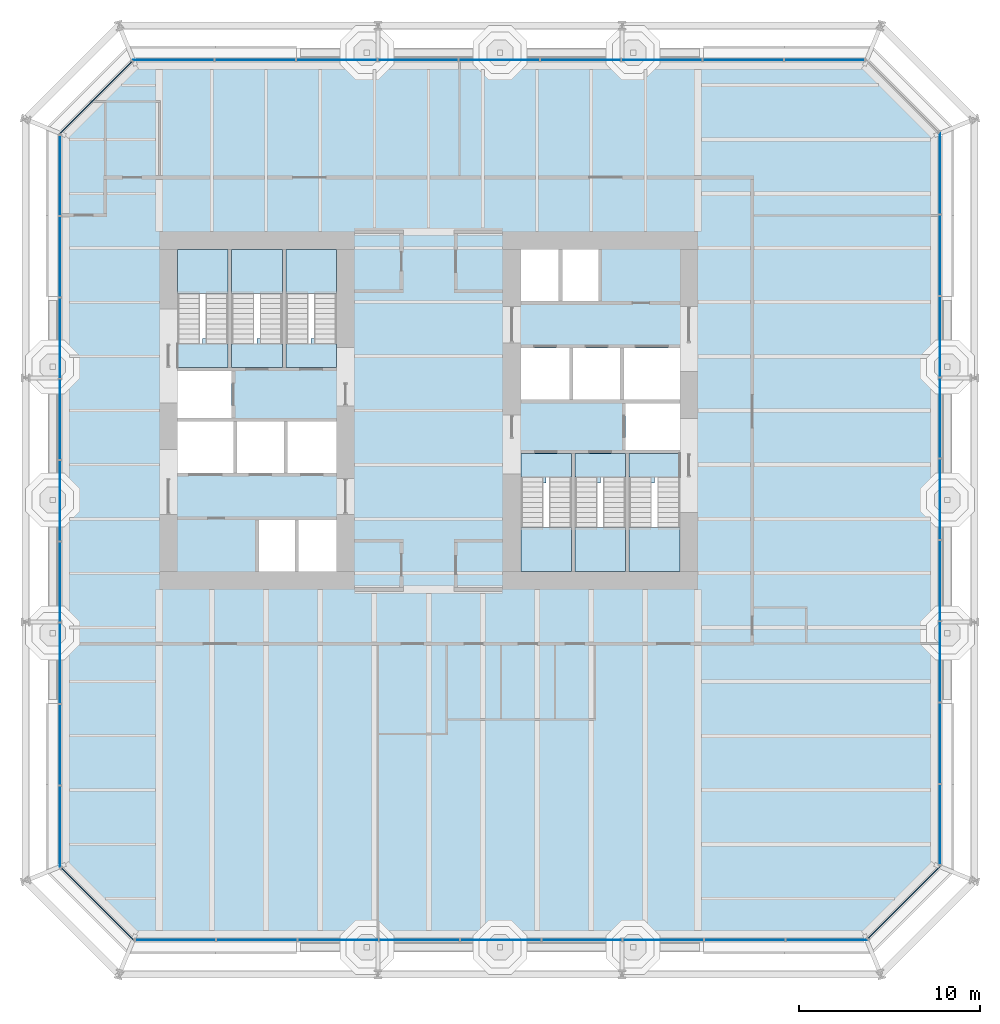
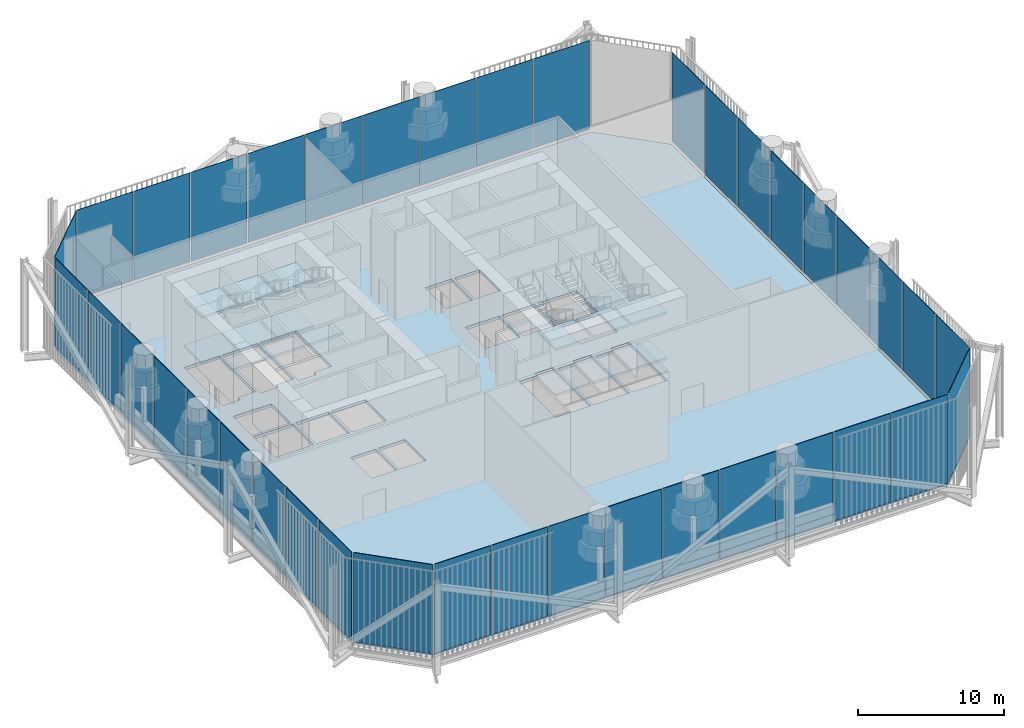
# One storey, part 11 of 18: 39 plates, 19 slabs, 13 elements without a shape of their own.
"""IFC4 building model written with IfcOpenShell, lengths in metres."""

from ifc_helpers import new_model, si_unit, direction, frame, origin, place, context, subcontext, project, spatial, polyline, outline, extrude, material, layer, layer_set, type_object, element, aggregate, save


model = new_model("IFC4")

# Units and contexts
model_context = context("Model", 3, precision=1e-05, world=origin(), true_north=direction((0.0, 1.0)))
body_context = subcontext(model_context, "Body", "Model", "MODEL_VIEW")
ifc_project = project(units=[si_unit("LENGTHUNIT", "METRE"), si_unit("AREAUNIT", "SQUARE_METRE"), si_unit("VOLUMEUNIT", "CUBIC_METRE"), si_unit("PLANEANGLEUNIT", "RADIAN"), si_unit("MASSUNIT", "GRAM", prefix="KILO")], contexts=[model_context])

# Site, building, storey
site_placement = place(None, origin())
site = spatial("IfcSite", under=ifc_project, at=site_placement, CompositionType="ELEMENT")
building_placement = place(site_placement, origin())
building = spatial("IfcBuilding", under=site, at=building_placement, Name="Millrace Tower", CompositionType="ELEMENT")
storey_placement = place(building_placement, frame((0.0, 0.0, 112.800048828125)))
storey = spatial("IfcBuildingStorey", under=building, at=storey_placement, Name="L25", CompositionType="ELEMENT", Elevation=112.800048828125)

# Curtain wall, plate
ifc_material_1 = material(Name="Aluminium and glass", Category="aluminium")
ifc_layer_1 = layer(ifc_material_1, 0.199951171875)
ifc_layer_set_1 = layer_set([ifc_layer_1], Name="Aluminium and glass")
curtain_wall_type = type_object("IfcCurtainWallType", Name="CW-4 sky garden winter glazing", PredefinedType="NOTDEFINED", material=ifc_layer_set_1)
placement_1 = place(storey_placement, origin())
curtain_wall_1 = element("IfcCurtainWall", 1, at=placement_1, inside=storey, type_object=curtain_wall_type, Name="Curtain wall B-F01 L25", PredefinedType="NOTDEFINED")
ifc_material_2 = material(Name="Glass", Category="glass")
ifc_layer_2 = layer(ifc_material_2, 0.0439453125)
ifc_layer_set_2 = layer_set([ifc_layer_2], Name="Glass")
plate_type = type_object("IfcPlateType", Name="CW-4 sky garden winter glazing triple-glazed double-height panel", PredefinedType="CURTAIN_PANEL", material=ifc_layer_set_2)
placement_2 = place(storey_placement, frame((0.0, 0.0, 0.179931640625)))
plate_1 = element("IfcPlate", 2, at=placement_2, type_object=plate_type, Name="CW4 panel B-F01.1", PredefinedType="CURTAIN_PANEL", context=body_context, shape_type="SweptSolid", body=[
    extrude(outline(polyline([(-20.32958984375, -25.3427734375), (-16.3505859375, -29.322021484375), (-16.332275390625, -29.278076171875), (-20.298583984375, -25.311767578125), (-20.32958984375, -25.3427734375)])), origin(), (0.0, 0.0, 1.0), 7.419921875),
])
aggregate(curtain_wall_1, [plate_1])

# Curtain wall, plates
curtain_wall_2 = element("IfcCurtainWall", 3, at=placement_1, inside=storey, type_object=curtain_wall_type, Name="Curtain wall B-F02 L25", PredefinedType="NOTDEFINED")
plate_2 = element("IfcPlate", 4, at=placement_2, type_object=plate_type, Name="CW4 panel B-F02.1", PredefinedType="CURTAIN_PANEL", context=body_context, shape_type="SweptSolid", body=[
    extrude(outline(polyline([(-16.219970703125, -29.322021484375), (-11.800048828125, -29.322021484375), (-11.800048828125, -29.278076171875), (-16.219970703125, -29.278076171875), (-16.219970703125, -29.322021484375)])), origin(), (0.0, 0.0, 1.0), 7.419921875),
])
plate_3 = element("IfcPlate", 5, at=placement_2, type_object=plate_type, Name="CW4 panel B-F02.2", PredefinedType="CURTAIN_PANEL", context=body_context, shape_type="SweptSolid", body=[
    extrude(outline(polyline([(-11.719970703125, -29.322021484375), (-7.300048828125, -29.322021484375), (-7.300048828125, -29.278076171875), (-11.719970703125, -29.278076171875), (-11.719970703125, -29.322021484375)])), origin(), (0.0, 0.0, 1.0), 7.419921875),
])
plate_4 = element("IfcPlate", 6, at=placement_2, type_object=plate_type, Name="CW4 panel B-F02.3", PredefinedType="CURTAIN_PANEL", context=body_context, shape_type="SweptSolid", body=[
    extrude(outline(polyline([(-7.219970703125, -29.322021484375), (-2.800048828125, -29.322021484375), (-2.800048828125, -29.278076171875), (-7.219970703125, -29.278076171875), (-7.219970703125, -29.322021484375)])), origin(), (0.0, 0.0, 1.0), 7.419921875),
])
plate_5 = element("IfcPlate", 7, at=placement_2, type_object=plate_type, Name="CW4 panel B-F02.4", PredefinedType="CURTAIN_PANEL", context=body_context, shape_type="SweptSolid", body=[
    extrude(outline(polyline([(-2.719970703125, -29.322021484375), (1.699951171875, -29.322021484375), (1.699951171875, -29.278076171875), (-2.719970703125, -29.278076171875), (-2.719970703125, -29.322021484375)])), origin(), (0.0, 0.0, 1.0), 7.419921875),
])
plate_6 = element("IfcPlate", 8, at=placement_2, type_object=plate_type, Name="CW4 panel B-F02.5", PredefinedType="CURTAIN_PANEL", context=body_context, shape_type="SweptSolid", body=[
    extrude(outline(polyline([(1.780029296875, -29.322021484375), (6.199951171875, -29.322021484375), (6.199951171875, -29.278076171875), (1.780029296875, -29.278076171875), (1.780029296875, -29.322021484375)])), origin(), (0.0, 0.0, 1.0), 7.419921875),
])
plate_7 = element("IfcPlate", 9, at=placement_2, type_object=plate_type, Name="CW4 panel B-F02.6", PredefinedType="CURTAIN_PANEL", context=body_context, shape_type="SweptSolid", body=[
    extrude(outline(polyline([(6.280029296875, -29.322021484375), (10.699951171875, -29.322021484375), (10.699951171875, -29.278076171875), (6.280029296875, -29.278076171875), (6.280029296875, -29.322021484375)])), origin(), (0.0, 0.0, 1.0), 7.419921875),
])
plate_8 = element("IfcPlate", 10, at=placement_2, type_object=plate_type, Name="CW4 panel B-F02.7", PredefinedType="CURTAIN_PANEL", context=body_context, shape_type="SweptSolid", body=[
    extrude(outline(polyline([(10.780029296875, -29.322021484375), (15.199951171875, -29.322021484375), (15.199951171875, -29.278076171875), (10.780029296875, -29.278076171875), (10.780029296875, -29.322021484375)])), origin(), (0.0, 0.0, 1.0), 7.419921875),
])
plate_9 = element("IfcPlate", 11, at=placement_2, type_object=plate_type, Name="CW4 panel B-F02.8", PredefinedType="CURTAIN_PANEL", context=body_context, shape_type="SweptSolid", body=[
    extrude(outline(polyline([(15.280029296875, -29.322021484375), (19.699951171875, -29.322021484375), (19.699951171875, -29.278076171875), (15.280029296875, -29.278076171875), (15.280029296875, -29.322021484375)])), origin(), (0.0, 0.0, 1.0), 7.419921875),
])
plate_10 = element("IfcPlate", 12, at=placement_2, type_object=plate_type, Name="CW4 panel B-F02.9", PredefinedType="CURTAIN_PANEL", context=body_context, shape_type="SweptSolid", body=[
    extrude(outline(polyline([(19.780029296875, -29.322021484375), (24.25048828125, -29.322021484375), (24.232421875, -29.278076171875), (19.780029296875, -29.278076171875), (19.780029296875, -29.322021484375)])), origin(), (0.0, 0.0, 1.0), 7.419921875),
])
aggregate(curtain_wall_2, [plate_2, plate_3, plate_4, plate_5, plate_6, plate_7, plate_8, plate_9, plate_10])

# Curtain wall, plate
curtain_wall_3 = element("IfcCurtainWall", 13, at=placement_1, inside=storey, type_object=curtain_wall_type, Name="Curtain wall B-F03 L25", PredefinedType="NOTDEFINED")
plate_11 = element("IfcPlate", 14, at=placement_2, type_object=plate_type, Name="CW4 panel B-F03.1", PredefinedType="CURTAIN_PANEL", context=body_context, shape_type="SweptSolid", body=[
    extrude(outline(polyline([(24.3427734375, -29.229736328125), (28.322021484375, -25.25048828125), (28.278076171875, -25.232421875), (24.311767578125, -29.198486328125), (24.3427734375, -29.229736328125)])), origin(), (0.0, 0.0, 1.0), 7.419921875),
])
aggregate(curtain_wall_3, [plate_11])

# Curtain wall, plates
curtain_wall_4 = element("IfcCurtainWall", 15, at=placement_1, inside=storey, type_object=curtain_wall_type, Name="Curtain wall B-F04 L25", PredefinedType="NOTDEFINED")
plate_12 = element("IfcPlate", 16, at=placement_2, type_object=plate_type, Name="CW4 panel B-F04.1", PredefinedType="CURTAIN_PANEL", context=body_context, shape_type="SweptSolid", body=[
    extrude(outline(polyline([(28.322021484375, -25.1201171875), (28.322021484375, -20.699951171875), (28.278076171875, -20.699951171875), (28.278076171875, -25.1201171875), (28.322021484375, -25.1201171875)])), origin(), (0.0, 0.0, 1.0), 7.419921875),
])
plate_13 = element("IfcPlate", 17, at=placement_2, type_object=plate_type, Name="CW4 panel B-F04.2", PredefinedType="CURTAIN_PANEL", context=body_context, shape_type="SweptSolid", body=[
    extrude(outline(polyline([(28.322021484375, -20.6201171875), (28.322021484375, -16.199951171875), (28.278076171875, -16.199951171875), (28.278076171875, -20.6201171875), (28.322021484375, -20.6201171875)])), origin(), (0.0, 0.0, 1.0), 7.419921875),
])
plate_14 = element("IfcPlate", 18, at=placement_2, type_object=plate_type, Name="CW4 panel B-F04.3", PredefinedType="CURTAIN_PANEL", context=body_context, shape_type="SweptSolid", body=[
    extrude(outline(polyline([(28.322021484375, -16.1201171875), (28.322021484375, -11.699951171875), (28.278076171875, -11.699951171875), (28.278076171875, -16.1201171875), (28.322021484375, -16.1201171875)])), origin(), (0.0, 0.0, 1.0), 7.419921875),
])
plate_15 = element("IfcPlate", 19, at=placement_2, type_object=plate_type, Name="CW4 panel B-F04.4", PredefinedType="CURTAIN_PANEL", context=body_context, shape_type="SweptSolid", body=[
    extrude(outline(polyline([(28.322021484375, -11.6201171875), (28.322021484375, -7.199951171875), (28.278076171875, -7.199951171875), (28.278076171875, -11.6201171875), (28.322021484375, -11.6201171875)])), origin(), (0.0, 0.0, 1.0), 7.419921875),
])
plate_16 = element("IfcPlate", 20, at=placement_2, type_object=plate_type, Name="CW4 panel B-F04.5", PredefinedType="CURTAIN_PANEL", context=body_context, shape_type="SweptSolid", body=[
    extrude(outline(polyline([(28.322021484375, -7.1201171875), (28.322021484375, -2.699951171875), (28.278076171875, -2.699951171875), (28.278076171875, -7.1201171875), (28.322021484375, -7.1201171875)])), origin(), (0.0, 0.0, 1.0), 7.419921875),
])
plate_17 = element("IfcPlate", 21, at=placement_2, type_object=plate_type, Name="CW4 panel B-F04.6", PredefinedType="CURTAIN_PANEL", context=body_context, shape_type="SweptSolid", body=[
    extrude(outline(polyline([(28.322021484375, -2.6201171875), (28.322021484375, 1.800048828125), (28.278076171875, 1.800048828125), (28.278076171875, -2.6201171875), (28.322021484375, -2.6201171875)])), origin(), (0.0, 0.0, 1.0), 7.419921875),
])
plate_18 = element("IfcPlate", 22, at=placement_2, type_object=plate_type, Name="CW4 panel B-F04.7", PredefinedType="CURTAIN_PANEL", context=body_context, shape_type="SweptSolid", body=[
    extrude(outline(polyline([(28.322021484375, 1.8798828125), (28.322021484375, 6.300048828125), (28.278076171875, 6.300048828125), (28.278076171875, 1.8798828125), (28.322021484375, 1.8798828125)])), origin(), (0.0, 0.0, 1.0), 7.419921875),
])
plate_19 = element("IfcPlate", 23, at=placement_2, type_object=plate_type, Name="CW4 panel B-F04.8", PredefinedType="CURTAIN_PANEL", context=body_context, shape_type="SweptSolid", body=[
    extrude(outline(polyline([(28.322021484375, 6.3798828125), (28.322021484375, 10.800048828125), (28.278076171875, 10.800048828125), (28.278076171875, 6.3798828125), (28.322021484375, 6.3798828125)])), origin(), (0.0, 0.0, 1.0), 7.419921875),
])
plate_20 = element("IfcPlate", 24, at=placement_2, type_object=plate_type, Name="CW4 panel B-F04.9", PredefinedType="CURTAIN_PANEL", context=body_context, shape_type="SweptSolid", body=[
    extrude(outline(polyline([(28.322021484375, 10.8798828125), (28.322021484375, 15.3505859375), (28.278076171875, 15.332275390625), (28.278076171875, 10.8798828125), (28.322021484375, 10.8798828125)])), origin(), (0.0, 0.0, 1.0), 7.419921875),
])
aggregate(curtain_wall_4, [plate_12, plate_13, plate_14, plate_15, plate_16, plate_17, plate_18, plate_19, plate_20])

curtain_wall_5 = element("IfcCurtainWall", 25, at=placement_1, inside=storey, type_object=curtain_wall_type, Name="Curtain wall B-F06 L25", PredefinedType="NOTDEFINED")
plate_21 = element("IfcPlate", 26, at=placement_2, type_object=plate_type, Name="CW4 panel B-F06.1", PredefinedType="CURTAIN_PANEL", context=body_context, shape_type="SweptSolid", body=[
    extrude(outline(polyline([(24.1201171875, 19.422119140625), (19.699951171875, 19.422119140625), (19.699951171875, 19.3779296875), (24.1201171875, 19.3779296875), (24.1201171875, 19.422119140625)])), origin(), (0.0, 0.0, 1.0), 7.419921875),
])
plate_22 = element("IfcPlate", 27, at=placement_2, type_object=plate_type, Name="CW4 panel B-F06.2", PredefinedType="CURTAIN_PANEL", context=body_context, shape_type="SweptSolid", body=[
    extrude(outline(polyline([(19.6201171875, 19.422119140625), (15.199951171875, 19.422119140625), (15.199951171875, 19.3779296875), (19.6201171875, 19.3779296875), (19.6201171875, 19.422119140625)])), origin(), (0.0, 0.0, 1.0), 7.419921875),
])
plate_23 = element("IfcPlate", 28, at=placement_2, type_object=plate_type, Name="CW4 panel B-F06.3", PredefinedType="CURTAIN_PANEL", context=body_context, shape_type="SweptSolid", body=[
    extrude(outline(polyline([(15.1201171875, 19.422119140625), (10.699951171875, 19.422119140625), (10.699951171875, 19.3779296875), (15.1201171875, 19.3779296875), (15.1201171875, 19.422119140625)])), origin(), (0.0, 0.0, 1.0), 7.419921875),
])
plate_24 = element("IfcPlate", 29, at=placement_2, type_object=plate_type, Name="CW4 panel B-F06.4", PredefinedType="CURTAIN_PANEL", context=body_context, shape_type="SweptSolid", body=[
    extrude(outline(polyline([(10.6201171875, 19.422119140625), (6.199951171875, 19.422119140625), (6.199951171875, 19.3779296875), (10.6201171875, 19.3779296875), (10.6201171875, 19.422119140625)])), origin(), (0.0, 0.0, 1.0), 7.419921875),
])
plate_25 = element("IfcPlate", 30, at=placement_2, type_object=plate_type, Name="CW4 panel B-F06.5", PredefinedType="CURTAIN_PANEL", context=body_context, shape_type="SweptSolid", body=[
    extrude(outline(polyline([(6.1201171875, 19.422119140625), (1.699951171875, 19.422119140625), (1.699951171875, 19.3779296875), (6.1201171875, 19.3779296875), (6.1201171875, 19.422119140625)])), origin(), (0.0, 0.0, 1.0), 7.419921875),
])
plate_26 = element("IfcPlate", 31, at=placement_2, type_object=plate_type, Name="CW4 panel B-F06.6", PredefinedType="CURTAIN_PANEL", context=body_context, shape_type="SweptSolid", body=[
    extrude(outline(polyline([(1.6201171875, 19.422119140625), (-2.800048828125, 19.422119140625), (-2.800048828125, 19.3779296875), (1.6201171875, 19.3779296875), (1.6201171875, 19.422119140625)])), origin(), (0.0, 0.0, 1.0), 7.419921875),
])
plate_27 = element("IfcPlate", 32, at=placement_2, type_object=plate_type, Name="CW4 panel B-F06.7", PredefinedType="CURTAIN_PANEL", context=body_context, shape_type="SweptSolid", body=[
    extrude(outline(polyline([(-2.8798828125, 19.422119140625), (-7.300048828125, 19.422119140625), (-7.300048828125, 19.3779296875), (-2.8798828125, 19.3779296875), (-2.8798828125, 19.422119140625)])), origin(), (0.0, 0.0, 1.0), 7.419921875),
])
plate_28 = element("IfcPlate", 33, at=placement_2, type_object=plate_type, Name="CW4 panel B-F06.8", PredefinedType="CURTAIN_PANEL", context=body_context, shape_type="SweptSolid", body=[
    extrude(outline(polyline([(-7.3798828125, 19.422119140625), (-11.800048828125, 19.422119140625), (-11.800048828125, 19.3779296875), (-7.3798828125, 19.3779296875), (-7.3798828125, 19.422119140625)])), origin(), (0.0, 0.0, 1.0), 7.419921875),
])
plate_29 = element("IfcPlate", 34, at=placement_2, type_object=plate_type, Name="CW4 panel B-F06.9", PredefinedType="CURTAIN_PANEL", context=body_context, shape_type="SweptSolid", body=[
    extrude(outline(polyline([(-11.8798828125, 19.422119140625), (-16.3505859375, 19.422119140625), (-16.332275390625, 19.3779296875), (-11.8798828125, 19.3779296875), (-11.8798828125, 19.422119140625)])), origin(), (0.0, 0.0, 1.0), 7.419921875),
])
aggregate(curtain_wall_5, [plate_21, plate_22, plate_23, plate_24, plate_25, plate_26, plate_27, plate_28, plate_29])

# Curtain wall, plate
curtain_wall_6 = element("IfcCurtainWall", 35, at=placement_1, inside=storey, type_object=curtain_wall_type, Name="Curtain wall B-F07 L25", PredefinedType="NOTDEFINED")
plate_30 = element("IfcPlate", 36, at=placement_2, type_object=plate_type, Name="CW4 panel B-F07.1", PredefinedType="CURTAIN_PANEL", context=body_context, shape_type="SweptSolid", body=[
    extrude(outline(polyline([(-16.44287109375, 19.32958984375), (-20.422119140625, 15.3505859375), (-20.3779296875, 15.332275390625), (-16.41162109375, 19.298583984375), (-16.44287109375, 19.32958984375)])), origin(), (0.0, 0.0, 1.0), 7.419921875),
])
aggregate(curtain_wall_6, [plate_30])

# Curtain wall, plates
curtain_wall_7 = element("IfcCurtainWall", 37, at=placement_1, inside=storey, type_object=curtain_wall_type, Name="Curtain wall B-F08 L25", PredefinedType="NOTDEFINED")
plate_31 = element("IfcPlate", 38, at=placement_2, type_object=plate_type, Name="CW4 panel B-F08.1", PredefinedType="CURTAIN_PANEL", context=body_context, shape_type="SweptSolid", body=[
    extrude(outline(polyline([(-20.422119140625, 15.219970703125), (-20.422119140625, 10.800048828125), (-20.3779296875, 10.800048828125), (-20.3779296875, 15.219970703125), (-20.422119140625, 15.219970703125)])), origin(), (0.0, 0.0, 1.0), 7.419921875),
])
plate_32 = element("IfcPlate", 39, at=placement_2, type_object=plate_type, Name="CW4 panel B-F08.2", PredefinedType="CURTAIN_PANEL", context=body_context, shape_type="SweptSolid", body=[
    extrude(outline(polyline([(-20.422119140625, 10.719970703125), (-20.422119140625, 6.300048828125), (-20.3779296875, 6.300048828125), (-20.3779296875, 10.719970703125), (-20.422119140625, 10.719970703125)])), origin(), (0.0, 0.0, 1.0), 7.419921875),
])
plate_33 = element("IfcPlate", 40, at=placement_2, type_object=plate_type, Name="CW4 panel B-F08.3", PredefinedType="CURTAIN_PANEL", context=body_context, shape_type="SweptSolid", body=[
    extrude(outline(polyline([(-20.422119140625, 6.219970703125), (-20.422119140625, 1.800048828125), (-20.3779296875, 1.800048828125), (-20.3779296875, 6.219970703125), (-20.422119140625, 6.219970703125)])), origin(), (0.0, 0.0, 1.0), 7.419921875),
])
plate_34 = element("IfcPlate", 41, at=placement_2, type_object=plate_type, Name="CW4 panel B-F08.4", PredefinedType="CURTAIN_PANEL", context=body_context, shape_type="SweptSolid", body=[
    extrude(outline(polyline([(-20.422119140625, 1.719970703125), (-20.422119140625, -2.699951171875), (-20.3779296875, -2.699951171875), (-20.3779296875, 1.719970703125), (-20.422119140625, 1.719970703125)])), origin(), (0.0, 0.0, 1.0), 7.419921875),
])
plate_35 = element("IfcPlate", 42, at=placement_2, type_object=plate_type, Name="CW4 panel B-F08.5", PredefinedType="CURTAIN_PANEL", context=body_context, shape_type="SweptSolid", body=[
    extrude(outline(polyline([(-20.422119140625, -2.780029296875), (-20.422119140625, -7.199951171875), (-20.3779296875, -7.199951171875), (-20.3779296875, -2.780029296875), (-20.422119140625, -2.780029296875)])), origin(), (0.0, 0.0, 1.0), 7.419921875),
])
plate_36 = element("IfcPlate", 43, at=placement_2, type_object=plate_type, Name="CW4 panel B-F08.6", PredefinedType="CURTAIN_PANEL", context=body_context, shape_type="SweptSolid", body=[
    extrude(outline(polyline([(-20.422119140625, -7.280029296875), (-20.422119140625, -11.699951171875), (-20.3779296875, -11.699951171875), (-20.3779296875, -7.280029296875), (-20.422119140625, -7.280029296875)])), origin(), (0.0, 0.0, 1.0), 7.419921875),
])
plate_37 = element("IfcPlate", 44, at=placement_2, type_object=plate_type, Name="CW4 panel B-F08.7", PredefinedType="CURTAIN_PANEL", context=body_context, shape_type="SweptSolid", body=[
    extrude(outline(polyline([(-20.422119140625, -11.780029296875), (-20.422119140625, -16.199951171875), (-20.3779296875, -16.199951171875), (-20.3779296875, -11.780029296875), (-20.422119140625, -11.780029296875)])), origin(), (0.0, 0.0, 1.0), 7.419921875),
])
plate_38 = element("IfcPlate", 45, at=placement_2, type_object=plate_type, Name="CW4 panel B-F08.8", PredefinedType="CURTAIN_PANEL", context=body_context, shape_type="SweptSolid", body=[
    extrude(outline(polyline([(-20.422119140625, -16.280029296875), (-20.422119140625, -20.699951171875), (-20.3779296875, -20.699951171875), (-20.3779296875, -16.280029296875), (-20.422119140625, -16.280029296875)])), origin(), (0.0, 0.0, 1.0), 7.419921875),
])
plate_39 = element("IfcPlate", 46, at=placement_2, type_object=plate_type, Name="CW4 panel B-F08.9", PredefinedType="CURTAIN_PANEL", context=body_context, shape_type="SweptSolid", body=[
    extrude(outline(polyline([(-20.422119140625, -20.780029296875), (-20.422119140625, -25.25048828125), (-20.3779296875, -25.232421875), (-20.3779296875, -20.780029296875), (-20.422119140625, -20.780029296875)])), origin(), (0.0, 0.0, 1.0), 7.419921875),
])
aggregate(curtain_wall_7, [plate_31, plate_32, plate_33, plate_34, plate_35, plate_36, plate_37, plate_38, plate_39])

# Slab
ifc_material_3 = material(Name="Concrete C35 on steel deck", Category="concrete")
ifc_layer_3 = layer(ifc_material_3, 0.25)
ifc_layer_set_3 = layer_set([ifc_layer_3], Name="Concrete C35 on steel deck")
slab_type_1 = type_object("IfcSlabType", Name="Composite floor slab 250 mm", PredefinedType="FLOOR", material=ifc_layer_set_3)
slab_1_placement = place(storey_placement, frame((0.0, 0.0, -0.25)))
element("IfcSlab", 47, at=slab_1_placement, inside=storey, type_object=slab_type_1, Name="SL-B-L25-S1", PredefinedType="FLOOR", context=body_context, shape_type="SweptSolid", body=[
    extrude(outline(polyline([(-20.300048828125, -25.199951171875), (-16.300048828125, -29.199951171875), (24.199951171875, -29.199951171875), (28.199951171875, -25.199951171875), (28.199951171875, 15.300048828125), (24.199951171875, 19.300048828125), (-16.300048828125, 19.300048828125), (-20.300048828125, 15.300048828125), (-20.300048828125, -25.199951171875)]), holes=[polyline([(-9.39990234375, -8.89990234375), (-7.39990234375, -8.89990234375), (-7.39990234375, -6.050048828125), (-9.39990234375, -6.050048828125), (-9.39990234375, -8.89990234375)]), polyline([(-7.199951171875, -8.89990234375), (-5.10009765625, -8.89990234375), (-5.10009765625, -6.050048828125), (-7.199951171875, -6.050048828125), (-7.199951171875, -8.89990234375)]), polyline([(-13.89990234375, -3.449951171875), (-10.800048828125, -3.449951171875), (-10.800048828125, -0.60009765625), (-13.89990234375, -0.60009765625), (-13.89990234375, -3.449951171875)]), polyline([(-10.60009765625, -3.449951171875), (-8.0, -3.449951171875), (-8.0, -0.60009765625), (-10.60009765625, -0.60009765625), (-10.60009765625, -3.449951171875)]), polyline([(-7.800048828125, -3.449951171875), (-5.10009765625, -3.449951171875), (-5.10009765625, -0.60009765625), (-7.800048828125, -0.60009765625), (-7.800048828125, -3.449951171875)]), polyline([(-13.89990234375, -0.39990234375), (-10.89990234375, -0.39990234375), (-10.89990234375, 2.179931640625), (-13.89990234375, 2.179931640625), (-13.89990234375, -0.39990234375)]), polyline([(-12.5, 3.679931640625), (-12.5, 4.0), (-11.10009765625, 4.0), (-11.10009765625, 8.89990234375), (-12.5, 8.89990234375), (-13.89990234375, 8.89990234375), (-13.89990234375, 3.679931640625), (-12.5, 3.679931640625)]), polyline([(-9.5, 3.679931640625), (-9.5, 4.0), (-8.10009765625, 4.0), (-8.10009765625, 8.89990234375), (-9.5, 8.89990234375), (-10.89990234375, 8.89990234375), (-10.89990234375, 3.679931640625), (-9.5, 3.679931640625)]), polyline([(-6.5, 3.679931640625), (-6.5, 4.0), (-5.10009765625, 4.0), (-5.10009765625, 8.89990234375), (-6.5, 8.89990234375), (-7.89990234375, 8.89990234375), (-7.89990234375, 3.679931640625), (-6.5, 3.679931640625)]), polyline([(7.39990234375, 6.050048828125), (9.39990234375, 6.050048828125), (9.39990234375, 8.89990234375), (7.39990234375, 8.89990234375), (7.39990234375, 6.050048828125)]), polyline([(5.10009765625, 6.050048828125), (7.199951171875, 6.050048828125), (7.199951171875, 8.89990234375), (5.10009765625, 8.89990234375), (5.10009765625, 6.050048828125)]), polyline([(10.800048828125, 0.60009765625), (13.89990234375, 0.60009765625), (13.89990234375, 3.449951171875), (10.800048828125, 3.449951171875), (10.800048828125, 0.60009765625)]), polyline([(8.0, 0.60009765625), (10.60009765625, 0.60009765625), (10.60009765625, 3.449951171875), (8.0, 3.449951171875), (8.0, 0.60009765625)]), polyline([(5.10009765625, 0.60009765625), (7.800048828125, 0.60009765625), (7.800048828125, 3.449951171875), (5.10009765625, 3.449951171875), (5.10009765625, 0.60009765625)]), polyline([(10.89990234375, -2.179931640625), (13.89990234375, -2.179931640625), (13.89990234375, 0.39990234375), (10.89990234375, 0.39990234375), (10.89990234375, -2.179931640625)]), polyline([(11.10009765625, -8.89990234375), (12.5, -8.89990234375), (13.89990234375, -8.89990234375), (13.89990234375, -3.679931640625), (12.5, -3.679931640625), (12.5, -4.0), (11.10009765625, -4.0), (11.10009765625, -8.89990234375)]), polyline([(8.10009765625, -8.89990234375), (9.5, -8.89990234375), (10.89990234375, -8.89990234375), (10.89990234375, -3.679931640625), (9.5, -3.679931640625), (9.5, -4.0), (8.10009765625, -4.0), (8.10009765625, -8.89990234375)]), polyline([(5.10009765625, -8.89990234375), (6.5, -8.89990234375), (7.89990234375, -8.89990234375), (7.89990234375, -3.679931640625), (6.5, -3.679931640625), (6.5, -4.0), (5.10009765625, -4.0), (5.10009765625, -8.89990234375)])]), origin(), (0.0, 0.0, 1.0), 0.25),
])

# Stair, slabs
ifc_material_4 = material(Name="Concrete C35", Category="concrete")
stair_type = type_object("IfcStairType", Name="Exit stair", PredefinedType="HALF_TURN_STAIR", material=ifc_material_4)
stair_1 = element("IfcStair", 48, at=placement_1, inside=storey, type_object=stair_type, Name="Stair 1 W L25", PredefinedType="HALF_TURN_STAIR")
ifc_material_5 = material(Name="Concrete C40", Category="concrete")
ifc_layer_4 = layer(ifc_material_5, 0.199951171875)
ifc_layer_set_4 = layer_set([ifc_layer_4], Name="Concrete C40")
slab_type_2 = type_object("IfcSlabType", Name="Stair landing", PredefinedType="LANDING", material=ifc_layer_set_4)
placement_3 = place(storey_placement, frame((0.0, 0.0, 1.699951171875)))
slab_2 = element("IfcSlab", 49, at=placement_3, type_object=slab_type_2, Name="ST12 landing 1", PredefinedType="LANDING", context=body_context, shape_type="SweptSolid", body=[
    extrude(outline(polyline([(-13.89990234375, 6.47998046875), (-11.10009765625, 6.47998046875), (-11.10009765625, 8.89990234375), (-13.89990234375, 8.89990234375), (-13.89990234375, 6.47998046875)])), origin(), (0.0, 0.0, 1.0), 0.199951171875),
])
placement_4 = place(storey_placement, frame((0.0, 0.0, 3.599853515625)))
slab_3 = element("IfcSlab", 50, at=placement_4, type_object=slab_type_2, Name="ST12 landing 2", PredefinedType="LANDING", context=body_context, shape_type="SweptSolid", body=[
    extrude(outline(polyline([(-13.89990234375, 2.3798828125), (-11.10009765625, 2.3798828125), (-11.10009765625, 3.679931640625), (-13.89990234375, 3.679931640625), (-13.89990234375, 2.3798828125)])), origin(), (0.0, 0.0, 1.0), 0.2001953125),
])
placement_5 = place(storey_placement, frame((0.0, 0.0, 5.5)))
slab_4 = element("IfcSlab", 51, at=placement_5, type_object=slab_type_2, Name="ST12 landing 3", PredefinedType="LANDING", context=body_context, shape_type="SweptSolid", body=[
    extrude(outline(polyline([(-13.89990234375, 6.47998046875), (-11.10009765625, 6.47998046875), (-11.10009765625, 8.89990234375), (-13.89990234375, 8.89990234375), (-13.89990234375, 6.47998046875)])), origin(), (0.0, 0.0, 1.0), 0.199951171875),
])
aggregate(stair_1, [slab_2, slab_3, slab_4])

stair_2 = element("IfcStair", 52, at=placement_1, inside=storey, type_object=stair_type, Name="Stair 2 W L25", PredefinedType="HALF_TURN_STAIR")
slab_5 = element("IfcSlab", 53, at=placement_3, type_object=slab_type_2, Name="ST12 landing 1", PredefinedType="LANDING", context=body_context, shape_type="SweptSolid", body=[
    extrude(outline(polyline([(-10.89990234375, 6.47998046875), (-8.10009765625, 6.47998046875), (-8.10009765625, 8.89990234375), (-10.89990234375, 8.89990234375), (-10.89990234375, 6.47998046875)])), origin(), (0.0, 0.0, 1.0), 0.199951171875),
])
slab_6 = element("IfcSlab", 54, at=placement_4, type_object=slab_type_2, Name="ST12 landing 2", PredefinedType="LANDING", context=body_context, shape_type="SweptSolid", body=[
    extrude(outline(polyline([(-10.89990234375, 2.3798828125), (-8.10009765625, 2.3798828125), (-8.10009765625, 3.679931640625), (-10.89990234375, 3.679931640625), (-10.89990234375, 2.3798828125)])), origin(), (0.0, 0.0, 1.0), 0.2001953125),
])
slab_7 = element("IfcSlab", 55, at=placement_5, type_object=slab_type_2, Name="ST12 landing 3", PredefinedType="LANDING", context=body_context, shape_type="SweptSolid", body=[
    extrude(outline(polyline([(-10.89990234375, 6.47998046875), (-8.10009765625, 6.47998046875), (-8.10009765625, 8.89990234375), (-10.89990234375, 8.89990234375), (-10.89990234375, 6.47998046875)])), origin(), (0.0, 0.0, 1.0), 0.199951171875),
])
aggregate(stair_2, [slab_5, slab_6, slab_7])

stair_3 = element("IfcStair", 56, at=placement_1, inside=storey, type_object=stair_type, Name="Stair 3 W L25", PredefinedType="HALF_TURN_STAIR")
slab_8 = element("IfcSlab", 57, at=placement_3, type_object=slab_type_2, Name="ST12 landing 1", PredefinedType="LANDING", context=body_context, shape_type="SweptSolid", body=[
    extrude(outline(polyline([(-7.89990234375, 6.47998046875), (-5.10009765625, 6.47998046875), (-5.10009765625, 8.89990234375), (-7.89990234375, 8.89990234375), (-7.89990234375, 6.47998046875)])), origin(), (0.0, 0.0, 1.0), 0.199951171875),
])
slab_9 = element("IfcSlab", 58, at=placement_4, type_object=slab_type_2, Name="ST12 landing 2", PredefinedType="LANDING", context=body_context, shape_type="SweptSolid", body=[
    extrude(outline(polyline([(-7.89990234375, 2.3798828125), (-5.10009765625, 2.3798828125), (-5.10009765625, 3.679931640625), (-7.89990234375, 3.679931640625), (-7.89990234375, 2.3798828125)])), origin(), (0.0, 0.0, 1.0), 0.2001953125),
])
slab_10 = element("IfcSlab", 59, at=placement_5, type_object=slab_type_2, Name="ST12 landing 3", PredefinedType="LANDING", context=body_context, shape_type="SweptSolid", body=[
    extrude(outline(polyline([(-7.89990234375, 6.47998046875), (-5.10009765625, 6.47998046875), (-5.10009765625, 8.89990234375), (-7.89990234375, 8.89990234375), (-7.89990234375, 6.47998046875)])), origin(), (0.0, 0.0, 1.0), 0.199951171875),
])
aggregate(stair_3, [slab_8, slab_9, slab_10])

stair_4 = element("IfcStair", 60, at=placement_1, inside=storey, type_object=stair_type, Name="Stair 1 E L25", PredefinedType="HALF_TURN_STAIR")
slab_11 = element("IfcSlab", 61, at=placement_3, type_object=slab_type_2, Name="ST12 landing 1", PredefinedType="LANDING", context=body_context, shape_type="SweptSolid", body=[
    extrude(outline(polyline([(11.10009765625, -8.89990234375), (13.89990234375, -8.89990234375), (13.89990234375, -6.47998046875), (11.10009765625, -6.47998046875), (11.10009765625, -8.89990234375)])), origin(), (0.0, 0.0, 1.0), 0.199951171875),
])
slab_12 = element("IfcSlab", 62, at=placement_4, type_object=slab_type_2, Name="ST12 landing 2", PredefinedType="LANDING", context=body_context, shape_type="SweptSolid", body=[
    extrude(outline(polyline([(11.10009765625, -3.679931640625), (13.89990234375, -3.679931640625), (13.89990234375, -2.3798828125), (11.10009765625, -2.3798828125), (11.10009765625, -3.679931640625)])), origin(), (0.0, 0.0, 1.0), 0.2001953125),
])
slab_13 = element("IfcSlab", 63, at=placement_5, type_object=slab_type_2, Name="ST12 landing 3", PredefinedType="LANDING", context=body_context, shape_type="SweptSolid", body=[
    extrude(outline(polyline([(11.10009765625, -8.89990234375), (13.89990234375, -8.89990234375), (13.89990234375, -6.47998046875), (11.10009765625, -6.47998046875), (11.10009765625, -8.89990234375)])), origin(), (0.0, 0.0, 1.0), 0.199951171875),
])
aggregate(stair_4, [slab_11, slab_12, slab_13])

stair_5 = element("IfcStair", 64, at=placement_1, inside=storey, type_object=stair_type, Name="Stair 2 E L25", PredefinedType="HALF_TURN_STAIR")
slab_14 = element("IfcSlab", 65, at=placement_3, type_object=slab_type_2, Name="ST12 landing 1", PredefinedType="LANDING", context=body_context, shape_type="SweptSolid", body=[
    extrude(outline(polyline([(8.10009765625, -8.89990234375), (10.89990234375, -8.89990234375), (10.89990234375, -6.47998046875), (8.10009765625, -6.47998046875), (8.10009765625, -8.89990234375)])), origin(), (0.0, 0.0, 1.0), 0.199951171875),
])
slab_15 = element("IfcSlab", 66, at=placement_4, type_object=slab_type_2, Name="ST12 landing 2", PredefinedType="LANDING", context=body_context, shape_type="SweptSolid", body=[
    extrude(outline(polyline([(8.10009765625, -3.679931640625), (10.89990234375, -3.679931640625), (10.89990234375, -2.3798828125), (8.10009765625, -2.3798828125), (8.10009765625, -3.679931640625)])), origin(), (0.0, 0.0, 1.0), 0.2001953125),
])
slab_16 = element("IfcSlab", 67, at=placement_5, type_object=slab_type_2, Name="ST12 landing 3", PredefinedType="LANDING", context=body_context, shape_type="SweptSolid", body=[
    extrude(outline(polyline([(8.10009765625, -8.89990234375), (10.89990234375, -8.89990234375), (10.89990234375, -6.47998046875), (8.10009765625, -6.47998046875), (8.10009765625, -8.89990234375)])), origin(), (0.0, 0.0, 1.0), 0.199951171875),
])
aggregate(stair_5, [slab_14, slab_15, slab_16])

stair_6 = element("IfcStair", 68, at=placement_1, inside=storey, type_object=stair_type, Name="Stair 3 E L25", PredefinedType="HALF_TURN_STAIR")
slab_17 = element("IfcSlab", 69, at=placement_3, type_object=slab_type_2, Name="ST12 landing 1", PredefinedType="LANDING", context=body_context, shape_type="SweptSolid", body=[
    extrude(outline(polyline([(5.10009765625, -8.89990234375), (7.89990234375, -8.89990234375), (7.89990234375, -6.47998046875), (5.10009765625, -6.47998046875), (5.10009765625, -8.89990234375)])), origin(), (0.0, 0.0, 1.0), 0.199951171875),
])
slab_18 = element("IfcSlab", 70, at=placement_4, type_object=slab_type_2, Name="ST12 landing 2", PredefinedType="LANDING", context=body_context, shape_type="SweptSolid", body=[
    extrude(outline(polyline([(5.10009765625, -3.679931640625), (7.89990234375, -3.679931640625), (7.89990234375, -2.3798828125), (5.10009765625, -2.3798828125), (5.10009765625, -3.679931640625)])), origin(), (0.0, 0.0, 1.0), 0.2001953125),
])
slab_19 = element("IfcSlab", 71, at=placement_5, type_object=slab_type_2, Name="ST12 landing 3", PredefinedType="LANDING", context=body_context, shape_type="SweptSolid", body=[
    extrude(outline(polyline([(5.10009765625, -8.89990234375), (7.89990234375, -8.89990234375), (7.89990234375, -6.47998046875), (5.10009765625, -6.47998046875), (5.10009765625, -8.89990234375)])), origin(), (0.0, 0.0, 1.0), 0.199951171875),
])
aggregate(stair_6, [slab_17, slab_18, slab_19])

save(model, "model.ifc")
